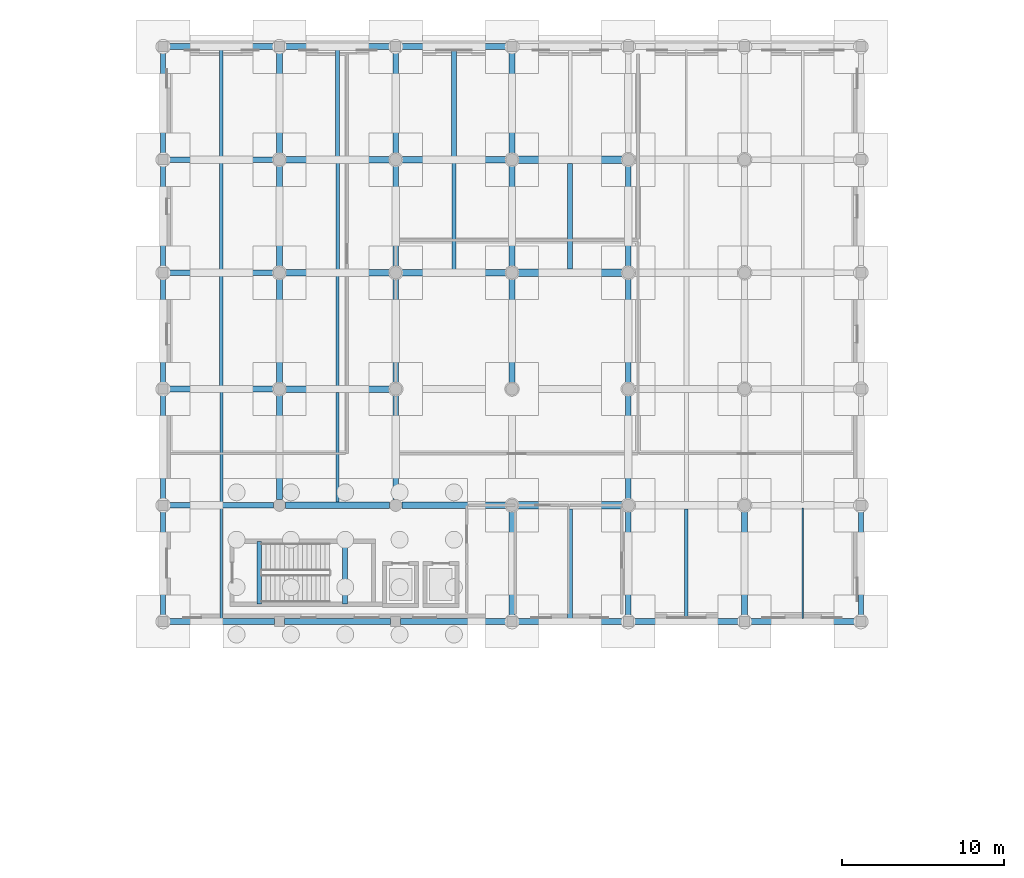
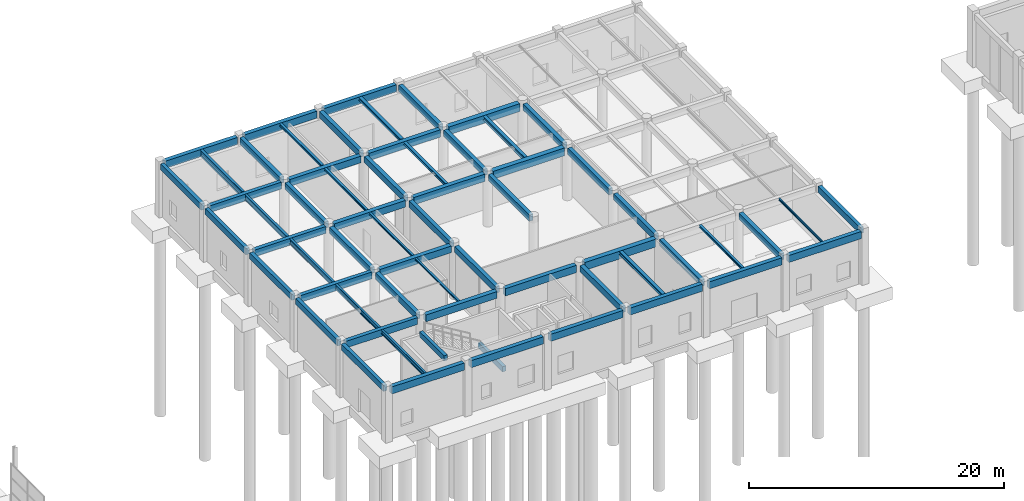
# One storey, part 45 of 91: 63 beams.
"""IFC4 building model written with IfcOpenShell, lengths in metres."""

from ifc_helpers import new_model, si_unit, direction, frame, origin, origin_2d, place, context, subcontext, project, spatial, rectangle, i_section, extrude, material, material_profile, profile_set, type_object, element, save


model = new_model("IFC4")

# Units and contexts
model_context = context("Model", 3, precision=1e-05, world=origin(), true_north=direction((0.0, 1.0)))
body_context = subcontext(model_context, "Body", "Model", "MODEL_VIEW")
ifc_project = project(units=[si_unit("LENGTHUNIT", "METRE"), si_unit("AREAUNIT", "SQUARE_METRE"), si_unit("VOLUMEUNIT", "CUBIC_METRE"), si_unit("PLANEANGLEUNIT", "RADIAN"), si_unit("MASSUNIT", "GRAM", prefix="KILO")], contexts=[model_context])

# Site, building, storey
site_placement = place(None, origin())
site = spatial("IfcSite", under=ifc_project, at=site_placement, CompositionType="ELEMENT")
building_placement = place(site_placement, origin())
building = spatial("IfcBuilding", under=site, at=building_placement, Name="Bramveld Media Centre", CompositionType="ELEMENT")
storey_placement = place(building_placement, origin())
storey = spatial("IfcBuildingStorey", under=building, at=storey_placement, Name="L00", CompositionType="ELEMENT", Elevation=0.0)

# Beams
ifc_material_1 = material(Name="Concrete C40/50", Category="concrete")
ifc_material_profile_1 = material_profile(ifc_material_1, rectangle(XDim=0.300048828125, YDim=0.5, at=origin_2d()), Name="RC 300x500")
ifc_profile_set_1 = profile_set([ifc_material_profile_1], Name="Concrete C40/50")
beam_type_1 = type_object("IfcBeamType", Name="BM-INT-RC-300x500", PredefinedType="BEAM", material=ifc_profile_set_1)
for number, where, z_axis, x_axis, name in (
    (1, (71.550048828125, 91.5, 5.14990234375), (0.0, 1.0, 0.0), (-1.0, 0.0, 0.0), "ST-07 L01 stairwell landing trimmer beam"),
    (2, (76.85009765625, 91.5, 2.25), (0.0, 1.0, 0.0), (-1.0, 0.0, 0.0), "ST-07 L00 stairwell half-landing support beam"),
):
    element("IfcBeam", number, at=place(storey_placement, frame(where, z_axis=z_axis, x_axis=x_axis)), inside=storey, type_object=beam_type_1, Name=name, PredefinedType="BEAM", context=body_context, shape_type="SweptSolid", body=[
        extrude(rectangle(XDim=0.300048828125, YDim=0.5, at=origin_2d()), origin(), (0.0, 0.0, 1.0), 3.85009765625),
    ])
ifc_material_2 = material(Name="Concrete C40/50", Category="concrete")
ifc_material_profile_2 = material_profile(ifc_material_2, rectangle(XDim=0.35009765625, YDim=0.60009765625, at=origin_2d()), Name="RC 350x600")
ifc_profile_set_2 = profile_set([ifc_material_profile_2], Name="Concrete C40/50")
beam_type_2 = type_object("IfcBeamType", Name="BM-INT-RC-350x600", PredefinedType="BEAM", material=ifc_profile_set_2)
for number, where, z_axis, x_axis, name in (
    (3, (72.800048828125, 97.97509765625, 4.820068359375), (0.0, 1.0, 0.0), (-1.0, 0.0, 0.0), "V6 L00 girder Y-943"),
    (4, (72.800048828125, 105.175048828125, 4.820068359375), (0.0, 1.0, 0.0), (-1.0, 0.0, 0.0), "V6 L00 girder Y-944"),
):
    element("IfcBeam", number, at=place(storey_placement, frame(where, z_axis=z_axis, x_axis=x_axis)), inside=storey, type_object=beam_type_2, Name=name, PredefinedType="BEAM", context=body_context, shape_type="SweptSolid", body=[
        extrude(rectangle(XDim=0.35009765625, YDim=0.60009765625, at=origin_2d()), origin(), (0.0, 0.0, 1.0), 6.449951171875),
    ])
beam_1_placement = place(storey_placement, frame((72.800048828125, 112.375, 4.820068359375), z_axis=(0.0, 1.0, 0.0), x_axis=(-1.0, 0.0, 0.0)))
element("IfcBeam", 5, at=beam_1_placement, inside=storey, type_object=beam_type_2, Name="V6 L00 girder Y-945", PredefinedType="BEAM", context=body_context, shape_type="SweptSolid", body=[
    extrude(rectangle(XDim=0.35009765625, YDim=0.60009765625, at=origin_2d()), origin(), (0.0, 0.0, 1.0), 6.25),
])
beam_2_placement = place(storey_placement, frame((72.800048828125, 119.375, 4.860107421875), z_axis=(0.0, 1.0, 0.0), x_axis=(-1.0, 0.0, 0.0)))
element("IfcBeam", 6, at=beam_2_placement, inside=storey, type_object=beam_type_2, Name="V6 L00 girder Y-946", PredefinedType="BEAM", context=body_context, shape_type="SweptSolid", body=[
    extrude(rectangle(XDim=0.35009765625, YDim=0.60009765625, at=origin_2d()), origin(), (0.0, 0.0, 1.0), 6.31494140625),
])
for number, where, z_axis, x_axis, name in (
    (7, (80.0, 97.97509765625, 4.820068359375), (0.0, 1.0, 0.0), (-1.0, 0.0, 0.0), "V6 L00 girder Y-947"),
    (8, (80.0, 105.175048828125, 4.820068359375), (0.0, 1.0, 0.0), (-1.0, 0.0, 0.0), "V6 L00 girder Y-948"),
):
    element("IfcBeam", number, at=place(storey_placement, frame(where, z_axis=z_axis, x_axis=x_axis)), inside=storey, type_object=beam_type_2, Name=name, PredefinedType="BEAM", context=body_context, shape_type="SweptSolid", body=[
        extrude(rectangle(XDim=0.35009765625, YDim=0.60009765625, at=origin_2d()), origin(), (0.0, 0.0, 1.0), 6.449951171875),
    ])
beam_3_placement = place(storey_placement, frame((80.0, 112.375, 4.820068359375), z_axis=(0.0, 1.0, 0.0), x_axis=(-1.0, 0.0, 0.0)))
element("IfcBeam", 9, at=beam_3_placement, inside=storey, type_object=beam_type_2, Name="V6 L00 girder Y-949", PredefinedType="BEAM", context=body_context, shape_type="SweptSolid", body=[
    extrude(rectangle(XDim=0.35009765625, YDim=0.60009765625, at=origin_2d()), origin(), (0.0, 0.0, 1.0), 6.25),
])
beam_4_placement = place(storey_placement, frame((80.0, 119.375, 4.860107421875), z_axis=(0.0, 1.0, 0.0), x_axis=(-1.0, 0.0, 0.0)))
element("IfcBeam", 10, at=beam_4_placement, inside=storey, type_object=beam_type_2, Name="V6 L00 girder Y-950", PredefinedType="BEAM", context=body_context, shape_type="SweptSolid", body=[
    extrude(rectangle(XDim=0.35009765625, YDim=0.60009765625, at=origin_2d()), origin(), (0.0, 0.0, 1.0), 6.31494140625),
])
beam_5_placement = place(storey_placement, frame((87.199951171875, 90.7099609375, 4.820068359375), z_axis=(0.0, 1.0, 0.0), x_axis=(-1.0, 0.0, 0.0)))
element("IfcBeam", 11, at=beam_5_placement, inside=storey, type_object=beam_type_2, Name="V6 L00 girder Y-951", PredefinedType="BEAM", context=body_context, shape_type="SweptSolid", body=[
    extrude(rectangle(XDim=0.35009765625, YDim=0.60009765625, at=origin_2d()), origin(), (0.0, 0.0, 1.0), 6.51513671875),
])
beam_6_placement = place(storey_placement, frame((87.199951171875, 105.175048828125, 4.820068359375), z_axis=(0.0, 1.0, 0.0), x_axis=(-1.0, 0.0, 0.0)))
element("IfcBeam", 12, at=beam_6_placement, inside=storey, type_object=beam_type_2, Name="V6 L00 girder Y-952", PredefinedType="BEAM", context=body_context, shape_type="SweptSolid", body=[
    extrude(rectangle(XDim=0.35009765625, YDim=0.60009765625, at=origin_2d()), origin(), (0.0, 0.0, 1.0), 6.449951171875),
])
beam_7_placement = place(storey_placement, frame((87.199951171875, 112.375, 4.820068359375), z_axis=(0.0, 1.0, 0.0), x_axis=(-1.0, 0.0, 0.0)))
element("IfcBeam", 13, at=beam_7_placement, inside=storey, type_object=beam_type_2, Name="V6 L00 girder Y-953", PredefinedType="BEAM", context=body_context, shape_type="SweptSolid", body=[
    extrude(rectangle(XDim=0.35009765625, YDim=0.60009765625, at=origin_2d()), origin(), (0.0, 0.0, 1.0), 6.25),
])
beam_8_placement = place(storey_placement, frame((87.199951171875, 119.375, 4.860107421875), z_axis=(0.0, 1.0, 0.0), x_axis=(-1.0, 0.0, 0.0)))
element("IfcBeam", 14, at=beam_8_placement, inside=storey, type_object=beam_type_2, Name="V6 L00 girder Y-954", PredefinedType="BEAM", context=body_context, shape_type="SweptSolid", body=[
    extrude(rectangle(XDim=0.35009765625, YDim=0.60009765625, at=origin_2d()), origin(), (0.0, 0.0, 1.0), 6.31494140625),
])
beam_9_placement = place(storey_placement, frame((94.39990234375, 90.7099609375, 4.820068359375), z_axis=(0.0, 1.0, 0.0), x_axis=(-1.0, 0.0, 0.0)))
element("IfcBeam", 15, at=beam_9_placement, inside=storey, type_object=beam_type_2, Name="V6 L00 girder Y-955", PredefinedType="BEAM", context=body_context, shape_type="SweptSolid", body=[
    extrude(rectangle(XDim=0.35009765625, YDim=0.60009765625, at=origin_2d()), origin(), (0.0, 0.0, 1.0), 6.51513671875),
])
for number, where, z_axis, x_axis, name in (
    (16, (94.39990234375, 97.97509765625, 4.820068359375), (0.0, 1.0, 0.0), (-1.0, 0.0, 0.0), "V6 L00 girder Y-956"),
    (17, (94.39990234375, 105.175048828125, 4.820068359375), (0.0, 1.0, 0.0), (-1.0, 0.0, 0.0), "V6 L00 girder Y-957"),
):
    element("IfcBeam", number, at=place(storey_placement, frame(where, z_axis=z_axis, x_axis=x_axis)), inside=storey, type_object=beam_type_2, Name=name, PredefinedType="BEAM", context=body_context, shape_type="SweptSolid", body=[
        extrude(rectangle(XDim=0.35009765625, YDim=0.60009765625, at=origin_2d()), origin(), (0.0, 0.0, 1.0), 6.449951171875),
    ])
beam_10_placement = place(storey_placement, frame((94.39990234375, 112.375, 4.820068359375), z_axis=(0.0, 1.0, 0.0), x_axis=(-1.0, 0.0, 0.0)))
element("IfcBeam", 18, at=beam_10_placement, inside=storey, type_object=beam_type_2, Name="V6 L00 girder Y-958", PredefinedType="BEAM", context=body_context, shape_type="SweptSolid", body=[
    extrude(rectangle(XDim=0.35009765625, YDim=0.60009765625, at=origin_2d()), origin(), (0.0, 0.0, 1.0), 6.25),
])
beam_11_placement = place(storey_placement, frame((101.60009765625, 90.7099609375, 4.820068359375), z_axis=(0.0, 1.0, 0.0), x_axis=(-1.0, 0.0, 0.0)))
element("IfcBeam", 19, at=beam_11_placement, inside=storey, type_object=beam_type_2, Name="V6 L00 girder Y-960", PredefinedType="BEAM", context=body_context, shape_type="SweptSolid", body=[
    extrude(rectangle(XDim=0.35009765625, YDim=0.60009765625, at=origin_2d()), origin(), (0.0, 0.0, 1.0), 6.51513671875),
])
ifc_material_3 = material(Name="Concrete C40/50", Category="concrete")
ifc_material_profile_3 = material_profile(ifc_material_3, rectangle(XDim=0.35009765625, YDim=0.64990234375, at=origin_2d()), Name="RC 350x650")
ifc_profile_set_3 = profile_set([ifc_material_profile_3], Name="Concrete C40/50")
beam_type_3 = type_object("IfcBeamType", Name="BM-INT-RC-350x650", PredefinedType="BEAM", material=ifc_profile_set_3)
for number, where, z_axis, x_axis, name in (
    (20, (65.909912109375, 97.60009765625, 4.794921875), (1.0, 0.0, 0.0), (0.0, 1.0, 0.0), "V6 L00 girder X-910"),
    (21, (65.909912109375, 104.800048828125, 4.794921875), (1.0, 0.0, 0.0), (0.0, 1.0, 0.0), "V6 L00 girder X-916"),
    (22, (65.909912109375, 112.0, 4.794921875), (1.0, 0.0, 0.0), (0.0, 1.0, 0.0), "V6 L00 girder X-920"),
    (23, (65.909912109375, 119.0, 4.794921875), (1.0, 0.0, 0.0), (0.0, 1.0, 0.0), "V6 L00 girder X-926"),
):
    element("IfcBeam", number, at=place(storey_placement, frame(where, z_axis=z_axis, x_axis=x_axis)), inside=storey, type_object=beam_type_3, Name=name, PredefinedType="BEAM", context=body_context, shape_type="SweptSolid", body=[
        extrude(rectangle(XDim=0.35009765625, YDim=0.64990234375, at=origin_2d()), origin(), (0.0, 0.0, 1.0), 6.51513671875),
    ])
ifc_material_4 = material(Name="Concrete C40/50", Category="concrete")
ifc_material_profile_4 = material_profile(ifc_material_4, rectangle(XDim=0.39990234375, YDim=0.64990234375, at=origin_2d()), Name="RC 400x650")
ifc_profile_set_4 = profile_set([ifc_material_profile_4], Name="Concrete C40/50")
beam_type_4 = type_object("IfcBeamType", Name="BM-INT-RC-400x650", PredefinedType="BEAM", material=ifc_profile_set_4)
for number, where, z_axis, x_axis, name in (
    (24, (73.175048828125, 97.60009765625, 4.794921875), (1.0, 0.0, 0.0), (0.0, 1.0, 0.0), "V6 L00 girder X-911"),
    (25, (73.175048828125, 104.800048828125, 4.794921875), (1.0, 0.0, 0.0), (0.0, 1.0, 0.0), "V6 L00 girder X-917"),
    (26, (73.175048828125, 112.0, 4.794921875), (1.0, 0.0, 0.0), (0.0, 1.0, 0.0), "V6 L00 girder X-921"),
    (27, (73.175048828125, 119.0, 4.794921875), (1.0, 0.0, 0.0), (0.0, 1.0, 0.0), "V6 L00 girder X-927"),
):
    element("IfcBeam", number, at=place(storey_placement, frame(where, z_axis=z_axis, x_axis=x_axis)), inside=storey, type_object=beam_type_4, Name=name, PredefinedType="BEAM", context=body_context, shape_type="SweptSolid", body=[
        extrude(rectangle(XDim=0.39990234375, YDim=0.64990234375, at=origin_2d()), origin(), (0.0, 0.0, 1.0), 6.449951171875),
    ])
ifc_material_5 = material(Name="Concrete C40/50", Category="concrete")
ifc_material_profile_5 = material_profile(ifc_material_5, rectangle(XDim=0.39990234375, YDim=0.699951171875, at=origin_2d()), Name="RC 400x700")
ifc_profile_set_5 = profile_set([ifc_material_profile_5], Name="Concrete C40/50")
beam_type_5 = type_object("IfcBeamType", Name="BM-INT-RC-400x700", PredefinedType="BEAM", material=ifc_profile_set_5)
for number, where, z_axis, x_axis, name in (
    (28, (80.375, 97.60009765625, 4.77001953125), (1.0, 0.0, 0.0), (0.0, 1.0, 0.0), "V6 L00 girder X-912"),
    (29, (80.375, 112.0, 4.77001953125), (1.0, 0.0, 0.0), (0.0, 1.0, 0.0), "V6 L00 girder X-922"),
    (30, (80.375, 119.0, 4.77001953125), (1.0, 0.0, 0.0), (0.0, 1.0, 0.0), "V6 L00 girder X-928"),
):
    element("IfcBeam", number, at=place(storey_placement, frame(where, z_axis=z_axis, x_axis=x_axis)), inside=storey, type_object=beam_type_5, Name=name, PredefinedType="BEAM", context=body_context, shape_type="SweptSolid", body=[
        extrude(rectangle(XDim=0.39990234375, YDim=0.699951171875, at=origin_2d()), origin(), (0.0, 0.0, 1.0), 6.449951171875),
    ])
ifc_material_6 = material(Name="Concrete C40/50", Category="concrete")
ifc_material_profile_6 = material_profile(ifc_material_6, rectangle(XDim=0.449951171875, YDim=0.75, at=origin_2d()), Name="RC 450x750")
ifc_profile_set_6 = profile_set([ifc_material_profile_6], Name="Concrete C40/50")
beam_type_6 = type_object("IfcBeamType", Name="BM-INT-RC-450x750", PredefinedType="BEAM", material=ifc_profile_set_6)
for number, where, z_axis, x_axis, name in (
    (31, (87.574951171875, 97.60009765625, 4.7451171875), (1.0, 0.0, 0.0), (0.0, 1.0, 0.0), "V6 L00 girder X-913"),
    (32, (87.574951171875, 112.0, 4.7451171875), (1.0, 0.0, 0.0), (0.0, 1.0, 0.0), "V6 L00 girder X-923"),
    (33, (87.574951171875, 119.0, 4.7451171875), (1.0, 0.0, 0.0), (0.0, 1.0, 0.0), "V6 L00 girder X-929"),
):
    element("IfcBeam", number, at=place(storey_placement, frame(where, z_axis=z_axis, x_axis=x_axis)), inside=storey, type_object=beam_type_6, Name=name, PredefinedType="BEAM", context=body_context, shape_type="SweptSolid", body=[
        extrude(rectangle(XDim=0.449951171875, YDim=0.75, at=origin_2d()), origin(), (0.0, 0.0, 1.0), 6.449951171875),
    ])
ifc_material_7 = material(Name="Steel S355J2", Category="steel")
ifc_material_profile_7 = material_profile(ifc_material_7, i_section(OverallWidth=0.179931640625, OverallDepth=0.1708984375, WebThickness=0.006103515625, FlangeThickness=0.009521484375, FilletRadius=0.014892578125, at=origin_2d()), Name="HEA 180")
ifc_profile_set_7 = profile_set([ifc_material_profile_7], Name="Steel S355J2")
beam_type_7 = type_object("IfcBeamType", Name="SBM-INT-HEA-180", PredefinedType="BEAM", material=ifc_profile_set_7)
beam_12_placement = place(storey_placement, frame((76.39990234375, 97.800048828125, 5.034423828125), z_axis=(0.0, 1.0, 0.0), x_axis=(-1.0, 0.0, 0.0)))
element("IfcBeam", 34, at=beam_12_placement, inside=storey, type_object=beam_type_7, Name="V6 L00 secondary floor joist 975", PredefinedType="BEAM", context=body_context, shape_type="SweptSolid", body=[
    extrude(i_section(OverallWidth=0.179931640625, OverallDepth=0.1708984375, WebThickness=0.006103515625, FlangeThickness=0.009521484375, FilletRadius=0.014892578125, at=origin_2d()), origin(), (0.0, 0.0, 1.0), 6.800048828125),
])
ifc_material_8 = material(Name="Steel S355J2", Category="steel")
ifc_material_profile_8 = material_profile(ifc_material_8, i_section(OverallWidth=0.199951171875, OverallDepth=0.18994140625, WebThickness=0.006591796875, FlangeThickness=0.010009765625, FilletRadius=0.01806640625, at=origin_2d()), Name="HEA 200")
ifc_profile_set_8 = profile_set([ifc_material_profile_8], Name="Steel S355J2")
beam_type_8 = type_object("IfcBeamType", Name="SBM-INT-HEA-200", PredefinedType="BEAM", material=ifc_profile_set_8)
beam_13_placement = place(storey_placement, frame((76.39990234375, 105.0, 5.02490234375), z_axis=(0.0, 1.0, 0.0), x_axis=(-1.0, 0.0, 0.0)))
element("IfcBeam", 35, at=beam_13_placement, inside=storey, type_object=beam_type_8, Name="V6 L00 secondary floor joist 976", PredefinedType="BEAM", context=body_context, shape_type="SweptSolid", body=[
    extrude(i_section(OverallWidth=0.199951171875, OverallDepth=0.18994140625, WebThickness=0.006591796875, FlangeThickness=0.010009765625, FilletRadius=0.01806640625, at=origin_2d()), origin(), (0.0, 0.0, 1.0), 6.800048828125),
])
ifc_material_9 = material(Name="Steel S355J2", Category="steel")
ifc_material_profile_9 = material_profile(ifc_material_9, i_section(OverallWidth=0.219970703125, OverallDepth=0.2099609375, WebThickness=0.007080078125, FlangeThickness=0.010986328125, FilletRadius=0.01806640625, at=origin_2d()), Name="HEA 220")
ifc_profile_set_9 = profile_set([ifc_material_profile_9], Name="Steel S355J2")
beam_type_9 = type_object("IfcBeamType", Name="SBM-INT-HEA-220", PredefinedType="BEAM", material=ifc_profile_set_9)
beam_14_placement = place(storey_placement, frame((76.39990234375, 112.199951171875, 5.014892578125), z_axis=(0.0, 1.0, 0.0), x_axis=(-1.0, 0.0, 0.0)))
element("IfcBeam", 36, at=beam_14_placement, inside=storey, type_object=beam_type_9, Name="V6 L00 secondary floor joist 977", PredefinedType="BEAM", context=body_context, shape_type="SweptSolid", body=[
    extrude(i_section(OverallWidth=0.219970703125, OverallDepth=0.2099609375, WebThickness=0.007080078125, FlangeThickness=0.010986328125, FilletRadius=0.01806640625, at=origin_2d()), origin(), (0.0, 0.0, 1.0), 6.60009765625),
])
ifc_material_10 = material(Name="Steel S355J2", Category="steel")
ifc_material_profile_10 = material_profile(ifc_material_10, i_section(OverallWidth=0.239990234375, OverallDepth=0.22998046875, WebThickness=0.007568359375, FlangeThickness=0.011962890625, FilletRadius=0.02099609375, at=origin_2d()), Name="HEA 240")
ifc_profile_set_10 = profile_set([ifc_material_profile_10], Name="Steel S355J2")
beam_type_10 = type_object("IfcBeamType", Name="SBM-INT-HEA-240", PredefinedType="BEAM", material=ifc_profile_set_10)
beam_15_placement = place(storey_placement, frame((76.39990234375, 119.199951171875, 5.044921875), z_axis=(0.0, 1.0, 0.0), x_axis=(-1.0, 0.0, 0.0)))
element("IfcBeam", 37, at=beam_15_placement, inside=storey, type_object=beam_type_10, Name="V6 L00 secondary floor joist 978", PredefinedType="BEAM", context=body_context, shape_type="SweptSolid", body=[
    extrude(i_section(OverallWidth=0.239990234375, OverallDepth=0.22998046875, WebThickness=0.007568359375, FlangeThickness=0.011962890625, FilletRadius=0.02099609375, at=origin_2d()), origin(), (0.0, 0.0, 1.0), 6.610107421875),
])
ifc_material_11 = material(Name="Steel S355J2", Category="steel")
ifc_material_profile_11 = material_profile(ifc_material_11, i_section(OverallWidth=0.260009765625, OverallDepth=0.25, WebThickness=0.007568359375, FlangeThickness=0.012451171875, FilletRadius=0.02392578125, at=origin_2d()), Name="HEA 260")
ifc_profile_set_11 = profile_set([ifc_material_profile_11], Name="Steel S355J2")
beam_type_11 = type_object("IfcBeamType", Name="SBM-INT-HEA-260", PredefinedType="BEAM", material=ifc_profile_set_11)
beam_16_placement = place(storey_placement, frame((83.60009765625, 112.199951171875, 4.9951171875), z_axis=(0.0, 1.0, 0.0), x_axis=(-1.0, 0.0, 0.0)))
element("IfcBeam", 38, at=beam_16_placement, inside=storey, type_object=beam_type_11, Name="V6 L00 secondary floor joist 979", PredefinedType="BEAM", context=body_context, shape_type="SweptSolid", body=[
    extrude(i_section(OverallWidth=0.260009765625, OverallDepth=0.25, WebThickness=0.007568359375, FlangeThickness=0.012451171875, FilletRadius=0.02392578125, at=origin_2d()), origin(), (0.0, 0.0, 1.0), 6.60009765625),
])
ifc_material_12 = material(Name="Steel S355J2", Category="steel")
ifc_material_profile_12 = material_profile(ifc_material_12, i_section(OverallWidth=0.300048828125, OverallDepth=0.2900390625, WebThickness=0.008544921875, FlangeThickness=0.013916015625, FilletRadius=0.027099609375, at=origin_2d()), Name="HEA 300")
ifc_profile_set_12 = profile_set([ifc_material_profile_12], Name="Steel S355J2")
beam_type_12 = type_object("IfcBeamType", Name="SBM-INT-HEA-300", PredefinedType="BEAM", material=ifc_profile_set_12)
beam_17_placement = place(storey_placement, frame((83.60009765625, 119.199951171875, 5.014892578125), z_axis=(0.0, 1.0, 0.0), x_axis=(-1.0, 0.0, 0.0)))
element("IfcBeam", 39, at=beam_17_placement, inside=storey, type_object=beam_type_12, Name="V6 L00 secondary floor joist 980", PredefinedType="BEAM", context=body_context, shape_type="SweptSolid", body=[
    extrude(i_section(OverallWidth=0.300048828125, OverallDepth=0.2900390625, WebThickness=0.008544921875, FlangeThickness=0.013916015625, FilletRadius=0.027099609375, at=origin_2d()), origin(), (0.0, 0.0, 1.0), 6.610107421875),
])
ifc_material_13 = material(Name="Steel S355J2", Category="steel")
ifc_material_profile_13 = material_profile(ifc_material_13, i_section(OverallWidth=0.300048828125, OverallDepth=0.31005859375, WebThickness=0.009033203125, FlangeThickness=0.015380859375, FilletRadius=0.027099609375, at=origin_2d()), Name="HEA 320")
ifc_profile_set_13 = profile_set([ifc_material_profile_13], Name="Steel S355J2")
beam_type_13 = type_object("IfcBeamType", Name="SBM-INT-HEA-320", PredefinedType="BEAM", material=ifc_profile_set_13)
beam_18_placement = place(storey_placement, frame((90.800048828125, 90.590087890625, 4.965087890625), z_axis=(0.0, 1.0, 0.0), x_axis=(-1.0, 0.0, 0.0)))
element("IfcBeam", 40, at=beam_18_placement, inside=storey, type_object=beam_type_13, Name="V6 L00 secondary floor joist 981", PredefinedType="BEAM", context=body_context, shape_type="SweptSolid", body=[
    extrude(i_section(OverallWidth=0.300048828125, OverallDepth=0.31005859375, WebThickness=0.009033203125, FlangeThickness=0.015380859375, FilletRadius=0.027099609375, at=origin_2d()), origin(), (0.0, 0.0, 1.0), 6.784912109375),
])
ifc_material_14 = material(Name="Steel S355J2", Category="steel")
ifc_material_profile_14 = material_profile(ifc_material_14, i_section(OverallWidth=0.300048828125, OverallDepth=0.389892578125, WebThickness=0.010986328125, FlangeThickness=0.01904296875, FilletRadius=0.027099609375, at=origin_2d()), Name="HEA 400")
ifc_profile_set_14 = profile_set([ifc_material_profile_14], Name="Steel S355J2")
beam_type_14 = type_object("IfcBeamType", Name="SBM-INT-HEA-400", PredefinedType="BEAM", material=ifc_profile_set_14)
beam_19_placement = place(storey_placement, frame((90.800048828125, 112.22509765625, 4.925048828125), z_axis=(0.0, 1.0, 0.0), x_axis=(-1.0, 0.0, 0.0)))
element("IfcBeam", 41, at=beam_19_placement, inside=storey, type_object=beam_type_14, Name="V6 L00 secondary floor joist 982", PredefinedType="BEAM", context=body_context, shape_type="SweptSolid", body=[
    extrude(i_section(OverallWidth=0.300048828125, OverallDepth=0.389892578125, WebThickness=0.010986328125, FlangeThickness=0.01904296875, FilletRadius=0.027099609375, at=origin_2d()), origin(), (0.0, 0.0, 1.0), 6.5498046875),
])
ifc_material_15 = material(Name="Steel S355J2", Category="steel")
ifc_material_profile_15 = material_profile(ifc_material_15, i_section(OverallWidth=0.219970703125, OverallDepth=0.219970703125, WebThickness=0.009521484375, FlangeThickness=0.01611328125, FilletRadius=0.01806640625, at=origin_2d()), Name="HEB 220")
ifc_profile_set_15 = profile_set([ifc_material_profile_15], Name="Steel S355J2")
beam_type_15 = type_object("IfcBeamType", Name="SBM-INT-HEB-220", PredefinedType="BEAM", material=ifc_profile_set_15)
beam_20_placement = place(storey_placement, frame((98.0, 90.590087890625, 5.010009765625), z_axis=(0.0, 1.0, 0.0), x_axis=(-1.0, 0.0, 0.0)))
element("IfcBeam", 42, at=beam_20_placement, inside=storey, type_object=beam_type_15, Name="V6 L00 secondary floor joist 984", PredefinedType="BEAM", context=body_context, shape_type="SweptSolid", body=[
    extrude(i_section(OverallWidth=0.219970703125, OverallDepth=0.219970703125, WebThickness=0.009521484375, FlangeThickness=0.01611328125, FilletRadius=0.01806640625, at=origin_2d()), origin(), (0.0, 0.0, 1.0), 6.784912109375),
])
ifc_material_16 = material(Name="Steel S355J2", Category="steel")
ifc_material_profile_16 = material_profile(ifc_material_16, i_section(OverallWidth=0.110107421875, OverallDepth=0.219970703125, WebThickness=0.005859375, FlangeThickness=0.00927734375, FilletRadius=0.011962890625, at=origin_2d()), Name="IPE 220")
ifc_profile_set_16 = profile_set([ifc_material_profile_16], Name="Steel S355J2")
beam_type_16 = type_object("IfcBeamType", Name="SBM-INT-IPE-220", PredefinedType="JOIST", material=ifc_profile_set_16)
beam_21_placement = place(storey_placement, frame((105.199951171875, 90.590087890625, 5.010009765625), z_axis=(0.0, 1.0, 0.0), x_axis=(-1.0, 0.0, 0.0)))
element("IfcBeam", 43, at=beam_21_placement, inside=storey, type_object=beam_type_16, Name="V6 L00 secondary floor joist 989", PredefinedType="JOIST", context=body_context, shape_type="SweptSolid", body=[
    extrude(i_section(OverallWidth=0.110107421875, OverallDepth=0.219970703125, WebThickness=0.005859375, FlangeThickness=0.00927734375, FilletRadius=0.011962890625, at=origin_2d()), origin(), (0.0, 0.0, 1.0), 6.8349609375),
])
ifc_material_17 = material(Name="Steel S355J2", Category="steel")
ifc_material_profile_17 = material_profile(ifc_material_17, i_section(OverallWidth=0.179931640625, OverallDepth=0.39990234375, WebThickness=0.008544921875, FlangeThickness=0.013427734375, FilletRadius=0.02099609375, at=origin_2d()), Name="IPE 400")
ifc_profile_set_17 = profile_set([ifc_material_profile_17], Name="Steel S355J2")
beam_type_17 = type_object("IfcBeamType", Name="SBM-INT-IPE-400", PredefinedType="JOIST", material=ifc_profile_set_17)
beam_22_placement = place(storey_placement, frame((69.199951171875, 90.590087890625, 4.919921875), z_axis=(0.0, 1.0, 0.0), x_axis=(-1.0, 0.0, 0.0)))
element("IfcBeam", 44, at=beam_22_placement, inside=storey, type_object=beam_type_17, Name="V6 L00 secondary floor joist 970", PredefinedType="JOIST", context=body_context, shape_type="SweptSolid", body=[
    extrude(i_section(OverallWidth=0.179931640625, OverallDepth=0.39990234375, WebThickness=0.008544921875, FlangeThickness=0.013427734375, FilletRadius=0.02099609375, at=origin_2d()), origin(), (0.0, 0.0, 1.0), 6.8349609375),
])
ifc_material_18 = material(Name="Steel S355J2", Category="steel")
ifc_material_profile_18 = material_profile(ifc_material_18, i_section(OverallWidth=0.18994140625, OverallDepth=0.449951171875, WebThickness=0.009521484375, FlangeThickness=0.0146484375, FilletRadius=0.02099609375, at=origin_2d()), Name="IPE 450")
ifc_profile_set_18 = profile_set([ifc_material_profile_18], Name="Steel S355J2")
beam_type_18 = type_object("IfcBeamType", Name="SBM-INT-IPE-450", PredefinedType="BEAM", material=ifc_profile_set_18)
beam_23_placement = place(storey_placement, frame((69.199951171875, 97.77490234375, 4.89501953125), z_axis=(0.0, 1.0, 0.0), x_axis=(-1.0, 0.0, 0.0)))
element("IfcBeam", 45, at=beam_23_placement, inside=storey, type_object=beam_type_18, Name="V6 L00 secondary floor joist 971", PredefinedType="BEAM", context=body_context, shape_type="SweptSolid", body=[
    extrude(i_section(OverallWidth=0.18994140625, OverallDepth=0.449951171875, WebThickness=0.009521484375, FlangeThickness=0.0146484375, FilletRadius=0.02099609375, at=origin_2d()), origin(), (0.0, 0.0, 1.0), 6.85009765625),
])
ifc_material_19 = material(Name="Steel S355J2", Category="steel")
ifc_material_profile_19 = material_profile(ifc_material_19, i_section(OverallWidth=0.199951171875, OverallDepth=0.5, WebThickness=0.01025390625, FlangeThickness=0.01611328125, FilletRadius=0.02099609375, at=origin_2d()), Name="IPE 500")
ifc_profile_set_19 = profile_set([ifc_material_profile_19], Name="Steel S355J2")
beam_type_19 = type_object("IfcBeamType", Name="SBM-INT-IPE-500", PredefinedType="BEAM", material=ifc_profile_set_19)
beam_24_placement = place(storey_placement, frame((69.199951171875, 104.97509765625, 4.8701171875), z_axis=(0.0, 1.0, 0.0), x_axis=(-1.0, 0.0, 0.0)))
element("IfcBeam", 46, at=beam_24_placement, inside=storey, type_object=beam_type_19, Name="V6 L00 secondary floor joist 972", PredefinedType="BEAM", context=body_context, shape_type="SweptSolid", body=[
    extrude(i_section(OverallWidth=0.199951171875, OverallDepth=0.5, WebThickness=0.01025390625, FlangeThickness=0.01611328125, FilletRadius=0.02099609375, at=origin_2d()), origin(), (0.0, 0.0, 1.0), 6.849853515625),
])
ifc_material_20 = material(Name="Steel S355J2", Category="steel")
ifc_material_profile_20 = material_profile(ifc_material_20, i_section(OverallWidth=0.2099609375, OverallDepth=0.550048828125, WebThickness=0.010986328125, FlangeThickness=0.01708984375, FilletRadius=0.02392578125, at=origin_2d()), Name="IPE 550")
ifc_profile_set_20 = profile_set([ifc_material_profile_20], Name="Steel S355J2")
beam_type_20 = type_object("IfcBeamType", Name="SBM-INT-IPE-550", PredefinedType="BEAM", material=ifc_profile_set_20)
beam_25_placement = place(storey_placement, frame((69.199951171875, 112.175048828125, 4.844970703125), z_axis=(0.0, 1.0, 0.0), x_axis=(-1.0, 0.0, 0.0)))
element("IfcBeam", 47, at=beam_25_placement, inside=storey, type_object=beam_type_20, Name="V6 L00 secondary floor joist 973", PredefinedType="BEAM", context=body_context, shape_type="SweptSolid", body=[
    extrude(i_section(OverallWidth=0.2099609375, OverallDepth=0.550048828125, WebThickness=0.010986328125, FlangeThickness=0.01708984375, FilletRadius=0.02392578125, at=origin_2d()), origin(), (0.0, 0.0, 1.0), 6.64990234375),
])
ifc_material_21 = material(Name="Steel S355J2", Category="steel")
ifc_material_profile_21 = material_profile(ifc_material_21, i_section(OverallWidth=0.219970703125, OverallDepth=0.60009765625, WebThickness=0.011962890625, FlangeThickness=0.01904296875, FilletRadius=0.02392578125, at=origin_2d()), Name="IPE 600")
ifc_profile_set_21 = profile_set([ifc_material_profile_21], Name="Steel S355J2")
beam_type_21 = type_object("IfcBeamType", Name="SBM-INT-IPE-600", PredefinedType="BEAM", material=ifc_profile_set_21)
beam_26_placement = place(storey_placement, frame((69.199951171875, 119.175048828125, 4.860107421875), z_axis=(0.0, 1.0, 0.0), x_axis=(-1.0, 0.0, 0.0)))
element("IfcBeam", 48, at=beam_26_placement, inside=storey, type_object=beam_type_21, Name="V6 L00 secondary floor joist 974", PredefinedType="BEAM", context=body_context, shape_type="SweptSolid", body=[
    extrude(i_section(OverallWidth=0.219970703125, OverallDepth=0.60009765625, WebThickness=0.011962890625, FlangeThickness=0.01904296875, FilletRadius=0.02392578125, at=origin_2d()), origin(), (0.0, 0.0, 1.0), 6.635009765625),
])
ifc_material_22 = material(Name="Concrete C40/50", Category="concrete")
ifc_material_profile_22 = material_profile(ifc_material_22, rectangle(XDim=0.320068359375, YDim=0.580078125, at=origin_2d()), Name="RC 320x580")
ifc_profile_set_22 = profile_set([ifc_material_profile_22], Name="Concrete C40/50")
beam_type_22 = type_object("IfcBeamType", Name="SPANDREL-EXT-RC-320x580", PredefinedType="SPANDREL", material=ifc_profile_set_22)
for number, where, z_axis, x_axis, name in (
    (49, (65.60009765625, 90.7099609375, 4.830078125), (0.0, 1.0, 0.0), (-1.0, 0.0, 0.0), "V6 L00 girder Y-938"),
    (50, (65.60009765625, 97.909912109375, 4.830078125), (0.0, 1.0, 0.0), (-1.0, 0.0, 0.0), "V6 L00 girder Y-939"),
):
    element("IfcBeam", number, at=place(storey_placement, frame(where, z_axis=z_axis, x_axis=x_axis)), inside=storey, type_object=beam_type_22, Name=name, PredefinedType="SPANDREL", context=body_context, shape_type="SweptSolid", body=[
        extrude(rectangle(XDim=0.320068359375, YDim=0.580078125, at=origin_2d()), origin(), (0.0, 0.0, 1.0), 6.580078125),
    ])
beam_27_placement = place(storey_placement, frame((65.60009765625, 105.110107421875, 4.830078125), z_axis=(0.0, 1.0, 0.0), x_axis=(-1.0, 0.0, 0.0)))
element("IfcBeam", 51, at=beam_27_placement, inside=storey, type_object=beam_type_22, Name="V6 L00 girder Y-940", PredefinedType="SPANDREL", context=body_context, shape_type="SweptSolid", body=[
    extrude(rectangle(XDim=0.320068359375, YDim=0.580078125, at=origin_2d()), origin(), (0.0, 0.0, 1.0), 6.579833984375),
])
for number, where, z_axis, x_axis, name in (
    (52, (65.60009765625, 112.31005859375, 4.830078125), (0.0, 1.0, 0.0), (-1.0, 0.0, 0.0), "V6 L00 girder Y-941"),
    (53, (65.60009765625, 119.31005859375, 4.8701171875), (0.0, 1.0, 0.0), (-1.0, 0.0, 0.0), "V6 L00 girder Y-942"),
):
    element("IfcBeam", number, at=place(storey_placement, frame(where, z_axis=z_axis, x_axis=x_axis)), inside=storey, type_object=beam_type_22, Name=name, PredefinedType="SPANDREL", context=body_context, shape_type="SweptSolid", body=[
        extrude(rectangle(XDim=0.320068359375, YDim=0.580078125, at=origin_2d()), origin(), (0.0, 0.0, 1.0), 6.3798828125),
    ])
beam_28_placement = place(storey_placement, frame((108.800048828125, 90.7099609375, 4.830078125), z_axis=(0.0, 1.0, 0.0), x_axis=(-1.0, 0.0, 0.0)))
element("IfcBeam", 54, at=beam_28_placement, inside=storey, type_object=beam_type_22, Name="V6 L00 girder Y-965", PredefinedType="SPANDREL", context=body_context, shape_type="SweptSolid", body=[
    extrude(rectangle(XDim=0.320068359375, YDim=0.580078125, at=origin_2d()), origin(), (0.0, 0.0, 1.0), 6.580078125),
])
ifc_material_23 = material(Name="Concrete C40/50", Category="concrete")
ifc_material_profile_23 = material_profile(ifc_material_23, rectangle(XDim=0.3798828125, YDim=0.679931640625, at=origin_2d()), Name="RC 380x680")
ifc_profile_set_23 = profile_set([ifc_material_profile_23], Name="Concrete C40/50")
beam_type_23 = type_object("IfcBeamType", Name="SPANDREL-EXT-RC-380x680", PredefinedType="SPANDREL", material=ifc_profile_set_23)
beam_29_placement = place(storey_placement, frame((65.909912109375, 90.39990234375, 4.780029296875), z_axis=(1.0, 0.0, 0.0), x_axis=(0.0, 1.0, 0.0)))
element("IfcBeam", 55, at=beam_29_placement, inside=storey, type_object=beam_type_23, Name="V6 L00 girder X-904", PredefinedType="SPANDREL", context=body_context, shape_type="SweptSolid", body=[
    extrude(rectangle(XDim=0.3798828125, YDim=0.679931640625, at=origin_2d()), origin(), (0.0, 0.0, 1.0), 6.580078125),
])
for number, where, z_axis, x_axis, name in (
    (56, (73.110107421875, 90.39990234375, 4.780029296875), (1.0, 0.0, 0.0), (0.0, 1.0, 0.0), "V6 L00 girder X-905"),
    (57, (80.31005859375, 90.39990234375, 4.780029296875), (1.0, 0.0, 0.0), (0.0, 1.0, 0.0), "V6 L00 girder X-906"),
):
    element("IfcBeam", number, at=place(storey_placement, frame(where, z_axis=z_axis, x_axis=x_axis)), inside=storey, type_object=beam_type_23, Name=name, PredefinedType="SPANDREL", context=body_context, shape_type="SweptSolid", body=[
        extrude(rectangle(XDim=0.3798828125, YDim=0.679931640625, at=origin_2d()), origin(), (0.0, 0.0, 1.0), 6.579833984375),
    ])
for number, where, z_axis, x_axis, name in (
    (58, (87.510009765625, 90.39990234375, 4.780029296875), (1.0, 0.0, 0.0), (0.0, 1.0, 0.0), "V6 L00 girder X-907"),
    (59, (94.7099609375, 90.39990234375, 4.780029296875), (1.0, 0.0, 0.0), (0.0, 1.0, 0.0), "V6 L00 girder X-908"),
    (60, (101.909912109375, 90.39990234375, 4.780029296875), (1.0, 0.0, 0.0), (0.0, 1.0, 0.0), "V6 L00 girder X-909"),
    (61, (65.909912109375, 126.0, 4.820068359375), (1.0, 0.0, 0.0), (0.0, 1.0, 0.0), "V6 L00 girder X-932"),
):
    element("IfcBeam", number, at=place(storey_placement, frame(where, z_axis=z_axis, x_axis=x_axis)), inside=storey, type_object=beam_type_23, Name=name, PredefinedType="SPANDREL", context=body_context, shape_type="SweptSolid", body=[
        extrude(rectangle(XDim=0.3798828125, YDim=0.679931640625, at=origin_2d()), origin(), (0.0, 0.0, 1.0), 6.580078125),
    ])
for number, where, z_axis, x_axis, name in (
    (62, (73.110107421875, 126.0, 4.820068359375), (1.0, 0.0, 0.0), (0.0, 1.0, 0.0), "V6 L00 girder X-933"),
    (63, (80.31005859375, 126.0, 4.820068359375), (1.0, 0.0, 0.0), (0.0, 1.0, 0.0), "V6 L00 girder X-934"),
):
    element("IfcBeam", number, at=place(storey_placement, frame(where, z_axis=z_axis, x_axis=x_axis)), inside=storey, type_object=beam_type_23, Name=name, PredefinedType="SPANDREL", context=body_context, shape_type="SweptSolid", body=[
        extrude(rectangle(XDim=0.3798828125, YDim=0.679931640625, at=origin_2d()), origin(), (0.0, 0.0, 1.0), 6.579833984375),
    ])

save(model, "model.ifc")
